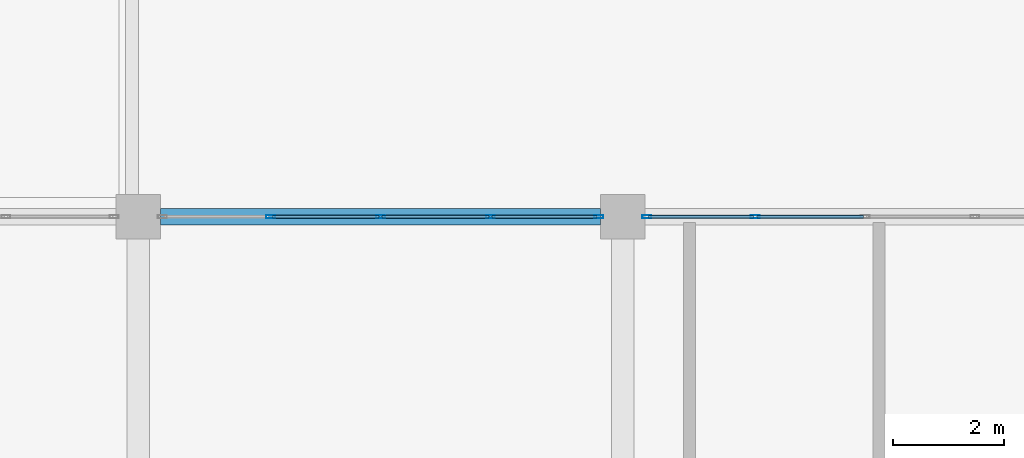
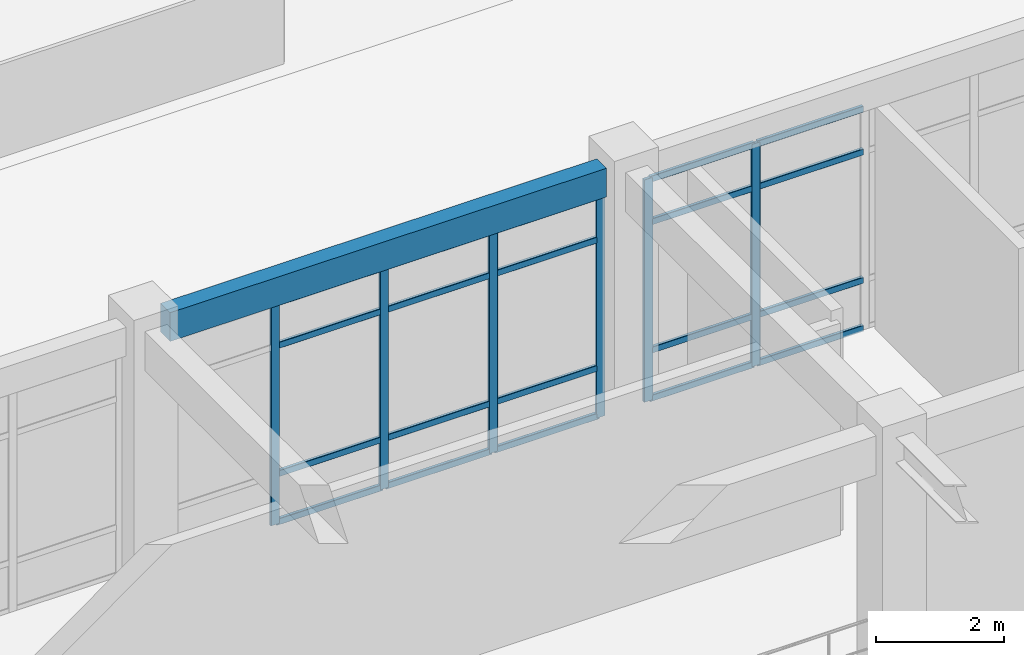
# One storey, part 53 of 124: 26 members, 1 beam, 2 elements without a shape of their own.
"""IFC4 building model written with IfcOpenShell, lengths in metres."""

from ifc_helpers import new_model, si_unit, derived_unit, direction, frame, origin, origin_2d, place, context, subcontext, project, spatial, rectangle, hollow_rectangle, extrude, material, layer, layer_set, material_profile, profile_set, type_object, element, aggregate, save


model = new_model("IFC4")

# Units and contexts
model_context = context("Model", 3, precision=1e-05, world=origin(), true_north=direction((0.0, 1.0)))
body_context = subcontext(model_context, "Body", "Model", "MODEL_VIEW")
ifc_project = project(units=[si_unit("LENGTHUNIT", "METRE"), si_unit("AREAUNIT", "SQUARE_METRE"), si_unit("VOLUMEUNIT", "CUBIC_METRE"), si_unit("PLANEANGLEUNIT", "RADIAN"), si_unit("MASSUNIT", "GRAM", prefix="KILO"), derived_unit("THERMALTRANSMITTANCEUNIT", [(si_unit("MASSUNIT", "GRAM", prefix="KILO"), 1), (si_unit("TIMEUNIT", "SECOND"), -3), (si_unit("THERMODYNAMICTEMPERATUREUNIT", "KELVIN"), -1)])], contexts=[model_context])

# Site, building, storey
site_placement = place(None, origin())
site = spatial("IfcSite", under=ifc_project, at=site_placement, CompositionType="ELEMENT")
building_placement = place(site_placement, origin())
building = spatial("IfcBuilding", under=site, at=building_placement, Name="Qinzheling Arcade Emporium", CompositionType="ELEMENT")
storey_placement = place(building_placement, frame((0.0, 0.0, 16.5)))
storey = spatial("IfcBuildingStorey", under=building, at=storey_placement, Name="L04", CompositionType="ELEMENT", Elevation=16.5)

# Curtain wall, members
ifc_material_1 = material(Name="Anodised aluminium and solar-control double glazing", Category="aluminium")
ifc_layer = layer(ifc_material_1, 0.159912109375, Name="Anodised aluminium and solar-control double glazing", Category="aluminium")
ifc_layer_set = layer_set([ifc_layer], Name="Anodised aluminium and solar-control double glazing")
curtain_wall_type = type_object("IfcCurtainWallType", Name="Atrium Clerestory Curtain Wall", PredefinedType="NOTDEFINED", material=ifc_layer_set)
curtain_wall_1_placement = place(storey_placement, origin())
curtain_wall_1 = element("IfcCurtainWall", 1, at=curtain_wall_1_placement, inside=storey, type_object=curtain_wall_type, Name="Curtain Wall CW-L04-247", PredefinedType="NOTDEFINED")
ifc_material_2 = material(Name="Anodised aluminium 6063-T6", Category="aluminium")
ifc_material_profile_1 = material_profile(ifc_material_2, hollow_rectangle(XDim=0.06005859375, YDim=0.159912109375, WallThickness=0.00390625, InnerFilletRadius=0.00390625, OuterFilletRadius=0.008056640625, at=origin_2d()), Name="RHS 160x60x4", Category="aluminium")
ifc_profile_set_1 = profile_set([ifc_material_profile_1], Name="Anodised aluminium 6063-T6")
member_type_1 = type_object("IfcMemberType", Name="Curtain Wall Mullion RHS160x60", PredefinedType="MULLION", material=ifc_profile_set_1)
member_1_placement = place(storey_placement, frame((80.676025390625, 73.800048828125, 0.0), z_axis=(0.0, 0.0, 1.0), x_axis=(0.0, 1.0, 0.0)))
member_1 = element("IfcMember", 2, at=member_1_placement, type_object=member_type_1, Name="CW03 mullion 2", PredefinedType="MULLION", context=body_context, shape_type="SweptSolid", body=[
    extrude(hollow_rectangle(XDim=0.06005859375, YDim=0.159912109375, WallThickness=0.00390625, InnerFilletRadius=0.00390625, OuterFilletRadius=0.008056640625, at=origin_2d()), origin(), (0.0, 0.0, 1.0), 4.2548828125),
])
member_2_placement = place(storey_placement, frame((82.64990234375, 73.800048828125, 0.0), z_axis=(0.0, 0.0, 1.0), x_axis=(0.0, 1.0, 0.0)))
member_2 = element("IfcMember", 3, at=member_2_placement, type_object=member_type_1, Name="CW03 mullion 3", PredefinedType="MULLION", context=body_context, shape_type="SweptSolid", body=[
    extrude(hollow_rectangle(XDim=0.06005859375, YDim=0.159912109375, WallThickness=0.00390625, InnerFilletRadius=0.00390625, OuterFilletRadius=0.008056640625, at=origin_2d()), origin(), (0.0, 0.0, 1.0), 4.2548828125),
])
member_3_placement = place(storey_placement, frame((84.6240234375, 73.800048828125, 0.0), z_axis=(0.0, 0.0, 1.0), x_axis=(0.0, 1.0, 0.0)))
member_3 = element("IfcMember", 4, at=member_3_placement, type_object=member_type_1, Name="CW03 mullion 4", PredefinedType="MULLION", context=body_context, shape_type="SweptSolid", body=[
    extrude(hollow_rectangle(XDim=0.06005859375, YDim=0.159912109375, WallThickness=0.00390625, InnerFilletRadius=0.00390625, OuterFilletRadius=0.008056640625, at=origin_2d()), origin(), (0.0, 0.0, 1.0), 4.2548828125),
])
member_4_placement = place(storey_placement, frame((86.568115234375, 73.800048828125, 0.0), z_axis=(0.0, 0.0, 1.0), x_axis=(0.0, 1.0, 0.0)))
member_4 = element("IfcMember", 5, at=member_4_placement, type_object=member_type_1, Name="CW03 mullion 5", PredefinedType="MULLION", context=body_context, shape_type="SweptSolid", body=[
    extrude(hollow_rectangle(XDim=0.06005859375, YDim=0.159912109375, WallThickness=0.00390625, InnerFilletRadius=0.00390625, OuterFilletRadius=0.008056640625, at=origin_2d()), origin(), (0.0, 0.0, 1.0), 4.2548828125),
])

curtain_wall_2_placement = place(storey_placement, origin())
curtain_wall_2 = element("IfcCurtainWall", 6, at=curtain_wall_2_placement, inside=storey, type_object=curtain_wall_type, Name="Curtain Wall CW-L04-248", PredefinedType="NOTDEFINED")
member_5_placement = place(storey_placement, frame((87.431884765625, 73.800048828125, 0.0), z_axis=(0.0, 0.0, 1.0), x_axis=(0.0, 1.0, 0.0)))
member_5 = element("IfcMember", 7, at=member_5_placement, type_object=member_type_1, Name="CW03 mullion 1", PredefinedType="MULLION", context=body_context, shape_type="SweptSolid", body=[
    extrude(hollow_rectangle(XDim=0.06005859375, YDim=0.159912109375, WallThickness=0.00390625, InnerFilletRadius=0.00390625, OuterFilletRadius=0.008056640625, at=origin_2d()), origin(), (0.0, 0.0, 1.0), 4.2548828125),
])
member_6_placement = place(storey_placement, frame((89.3759765625, 73.800048828125, 0.0), z_axis=(0.0, 0.0, 1.0), x_axis=(0.0, 1.0, 0.0)))
member_6 = element("IfcMember", 8, at=member_6_placement, type_object=member_type_1, Name="CW03 mullion 2", PredefinedType="MULLION", context=body_context, shape_type="SweptSolid", body=[
    extrude(hollow_rectangle(XDim=0.06005859375, YDim=0.159912109375, WallThickness=0.00390625, InnerFilletRadius=0.00390625, OuterFilletRadius=0.008056640625, at=origin_2d()), origin(), (0.0, 0.0, 1.0), 4.2548828125),
])

# Member
ifc_material_profile_2 = material_profile(ifc_material_2, hollow_rectangle(XDim=0.06005859375, YDim=0.1201171875, WallThickness=0.00390625, InnerFilletRadius=0.00390625, OuterFilletRadius=0.008056640625, at=origin_2d()), Name="RHS 120x60x4", Category="aluminium")
ifc_profile_set_2 = profile_set([ifc_material_profile_2], Name="Anodised aluminium 6063-T6")
member_type_2 = type_object("IfcMemberType", Name="Curtain Wall Transom RHS120x60", PredefinedType="USERDEFINED", material=ifc_profile_set_2)
member_7_placement = place(storey_placement, frame((80.7060546875, 73.800048828125, 0.030029296875), z_axis=(1.0, 0.0, 0.0), x_axis=(0.0, 1.0, 0.0)))
member_7 = element("IfcMember", 9, at=member_7_placement, type_object=member_type_2, Name="CW03 transom 2.1", ObjectType="TRANSOM", PredefinedType="USERDEFINED", context=body_context, shape_type="SweptSolid", body=[
    extrude(hollow_rectangle(XDim=0.06005859375, YDim=0.1201171875, WallThickness=0.00390625, InnerFilletRadius=0.00390625, OuterFilletRadius=0.008056640625, at=origin_2d()), origin(), (0.0, 0.0, 1.0), 1.9140625),
])

member_8_placement = place(storey_placement, frame((80.7060546875, 73.800048828125, 0.949951171875), z_axis=(1.0, 0.0, 0.0), x_axis=(0.0, 1.0, 0.0)))
member_8 = element("IfcMember", 10, at=member_8_placement, type_object=member_type_2, Name="CW03 transom 2.2", ObjectType="TRANSOM", PredefinedType="USERDEFINED", context=body_context, shape_type="SweptSolid", body=[
    extrude(hollow_rectangle(XDim=0.06005859375, YDim=0.1201171875, WallThickness=0.00390625, InnerFilletRadius=0.00390625, OuterFilletRadius=0.008056640625, at=origin_2d()), origin(), (0.0, 0.0, 1.0), 1.9140625),
])

member_9_placement = place(storey_placement, frame((80.7060546875, 73.800048828125, 3.405029296875), z_axis=(1.0, 0.0, 0.0), x_axis=(0.0, 1.0, 0.0)))
member_9 = element("IfcMember", 11, at=member_9_placement, type_object=member_type_2, Name="CW03 transom 2.3", ObjectType="TRANSOM", PredefinedType="USERDEFINED", context=body_context, shape_type="SweptSolid", body=[
    extrude(hollow_rectangle(XDim=0.06005859375, YDim=0.1201171875, WallThickness=0.00390625, InnerFilletRadius=0.00390625, OuterFilletRadius=0.008056640625, at=origin_2d()), origin(), (0.0, 0.0, 1.0), 1.9140625),
])

member_10_placement = place(storey_placement, frame((80.7060546875, 73.800048828125, 4.22509765625), z_axis=(1.0, 0.0, 0.0), x_axis=(0.0, 1.0, 0.0)))
member_10 = element("IfcMember", 12, at=member_10_placement, type_object=member_type_2, Name="CW03 transom 2.4", ObjectType="TRANSOM", PredefinedType="USERDEFINED", context=body_context, shape_type="SweptSolid", body=[
    extrude(hollow_rectangle(XDim=0.06005859375, YDim=0.1201171875, WallThickness=0.00390625, InnerFilletRadius=0.00390625, OuterFilletRadius=0.008056640625, at=origin_2d()), origin(), (0.0, 0.0, 1.0), 1.9140625),
])

member_11_placement = place(storey_placement, frame((82.679931640625, 73.800048828125, 0.030029296875), z_axis=(1.0, 0.0, 0.0), x_axis=(0.0, 1.0, 0.0)))
member_11 = element("IfcMember", 13, at=member_11_placement, type_object=member_type_2, Name="CW03 transom 3.1", ObjectType="TRANSOM", PredefinedType="USERDEFINED", context=body_context, shape_type="SweptSolid", body=[
    extrude(hollow_rectangle(XDim=0.06005859375, YDim=0.1201171875, WallThickness=0.00390625, InnerFilletRadius=0.00390625, OuterFilletRadius=0.008056640625, at=origin_2d()), origin(), (0.0, 0.0, 1.0), 1.9140625),
])

member_12_placement = place(storey_placement, frame((82.679931640625, 73.800048828125, 0.949951171875), z_axis=(1.0, 0.0, 0.0), x_axis=(0.0, 1.0, 0.0)))
member_12 = element("IfcMember", 14, at=member_12_placement, type_object=member_type_2, Name="CW03 transom 3.2", ObjectType="TRANSOM", PredefinedType="USERDEFINED", context=body_context, shape_type="SweptSolid", body=[
    extrude(hollow_rectangle(XDim=0.06005859375, YDim=0.1201171875, WallThickness=0.00390625, InnerFilletRadius=0.00390625, OuterFilletRadius=0.008056640625, at=origin_2d()), origin(), (0.0, 0.0, 1.0), 1.9140625),
])

member_13_placement = place(storey_placement, frame((82.679931640625, 73.800048828125, 3.405029296875), z_axis=(1.0, 0.0, 0.0), x_axis=(0.0, 1.0, 0.0)))
member_13 = element("IfcMember", 15, at=member_13_placement, type_object=member_type_2, Name="CW03 transom 3.3", ObjectType="TRANSOM", PredefinedType="USERDEFINED", context=body_context, shape_type="SweptSolid", body=[
    extrude(hollow_rectangle(XDim=0.06005859375, YDim=0.1201171875, WallThickness=0.00390625, InnerFilletRadius=0.00390625, OuterFilletRadius=0.008056640625, at=origin_2d()), origin(), (0.0, 0.0, 1.0), 1.9140625),
])

member_14_placement = place(storey_placement, frame((82.679931640625, 73.800048828125, 4.22509765625), z_axis=(1.0, 0.0, 0.0), x_axis=(0.0, 1.0, 0.0)))
member_14 = element("IfcMember", 16, at=member_14_placement, type_object=member_type_2, Name="CW03 transom 3.4", ObjectType="TRANSOM", PredefinedType="USERDEFINED", context=body_context, shape_type="SweptSolid", body=[
    extrude(hollow_rectangle(XDim=0.06005859375, YDim=0.1201171875, WallThickness=0.00390625, InnerFilletRadius=0.00390625, OuterFilletRadius=0.008056640625, at=origin_2d()), origin(), (0.0, 0.0, 1.0), 1.9140625),
])

member_15_placement = place(storey_placement, frame((84.654052734375, 73.800048828125, 0.030029296875), z_axis=(1.0, 0.0, 0.0), x_axis=(0.0, 1.0, 0.0)))
member_15 = element("IfcMember", 17, at=member_15_placement, type_object=member_type_2, Name="CW03 transom 4.1", ObjectType="TRANSOM", PredefinedType="USERDEFINED", context=body_context, shape_type="SweptSolid", body=[
    extrude(hollow_rectangle(XDim=0.06005859375, YDim=0.1201171875, WallThickness=0.00390625, InnerFilletRadius=0.00390625, OuterFilletRadius=0.008056640625, at=origin_2d()), origin(), (0.0, 0.0, 1.0), 1.884033203125),
])

member_16_placement = place(storey_placement, frame((84.654052734375, 73.800048828125, 0.949951171875), z_axis=(1.0, 0.0, 0.0), x_axis=(0.0, 1.0, 0.0)))
member_16 = element("IfcMember", 18, at=member_16_placement, type_object=member_type_2, Name="CW03 transom 4.2", ObjectType="TRANSOM", PredefinedType="USERDEFINED", context=body_context, shape_type="SweptSolid", body=[
    extrude(hollow_rectangle(XDim=0.06005859375, YDim=0.1201171875, WallThickness=0.00390625, InnerFilletRadius=0.00390625, OuterFilletRadius=0.008056640625, at=origin_2d()), origin(), (0.0, 0.0, 1.0), 1.884033203125),
])

member_17_placement = place(storey_placement, frame((84.654052734375, 73.800048828125, 3.405029296875), z_axis=(1.0, 0.0, 0.0), x_axis=(0.0, 1.0, 0.0)))
member_17 = element("IfcMember", 19, at=member_17_placement, type_object=member_type_2, Name="CW03 transom 4.3", ObjectType="TRANSOM", PredefinedType="USERDEFINED", context=body_context, shape_type="SweptSolid", body=[
    extrude(hollow_rectangle(XDim=0.06005859375, YDim=0.1201171875, WallThickness=0.00390625, InnerFilletRadius=0.00390625, OuterFilletRadius=0.008056640625, at=origin_2d()), origin(), (0.0, 0.0, 1.0), 1.884033203125),
])

member_18_placement = place(storey_placement, frame((84.654052734375, 73.800048828125, 4.22509765625), z_axis=(1.0, 0.0, 0.0), x_axis=(0.0, 1.0, 0.0)))
member_18 = element("IfcMember", 20, at=member_18_placement, type_object=member_type_2, Name="CW03 transom 4.4", ObjectType="TRANSOM", PredefinedType="USERDEFINED", context=body_context, shape_type="SweptSolid", body=[
    extrude(hollow_rectangle(XDim=0.06005859375, YDim=0.1201171875, WallThickness=0.00390625, InnerFilletRadius=0.00390625, OuterFilletRadius=0.008056640625, at=origin_2d()), origin(), (0.0, 0.0, 1.0), 1.884033203125),
])

aggregate(curtain_wall_1, [member_1, member_2, member_3, member_4, member_7, member_8, member_9, member_10, member_11, member_12, member_13, member_14, member_15, member_16, member_17, member_18])

member_19_placement = place(storey_placement, frame((87.4619140625, 73.800048828125, 0.030029296875), z_axis=(1.0, 0.0, 0.0), x_axis=(0.0, 1.0, 0.0)))
member_19 = element("IfcMember", 21, at=member_19_placement, type_object=member_type_2, Name="CW03 transom 1.1", ObjectType="TRANSOM", PredefinedType="USERDEFINED", context=body_context, shape_type="SweptSolid", body=[
    extrude(hollow_rectangle(XDim=0.06005859375, YDim=0.1201171875, WallThickness=0.00390625, InnerFilletRadius=0.00390625, OuterFilletRadius=0.008056640625, at=origin_2d()), origin(), (0.0, 0.0, 1.0), 1.884033203125),
])

member_20_placement = place(storey_placement, frame((87.4619140625, 73.800048828125, 0.949951171875), z_axis=(1.0, 0.0, 0.0), x_axis=(0.0, 1.0, 0.0)))
member_20 = element("IfcMember", 22, at=member_20_placement, type_object=member_type_2, Name="CW03 transom 1.2", ObjectType="TRANSOM", PredefinedType="USERDEFINED", context=body_context, shape_type="SweptSolid", body=[
    extrude(hollow_rectangle(XDim=0.06005859375, YDim=0.1201171875, WallThickness=0.00390625, InnerFilletRadius=0.00390625, OuterFilletRadius=0.008056640625, at=origin_2d()), origin(), (0.0, 0.0, 1.0), 1.884033203125),
])

member_21_placement = place(storey_placement, frame((87.4619140625, 73.800048828125, 3.405029296875), z_axis=(1.0, 0.0, 0.0), x_axis=(0.0, 1.0, 0.0)))
member_21 = element("IfcMember", 23, at=member_21_placement, type_object=member_type_2, Name="CW03 transom 1.3", ObjectType="TRANSOM", PredefinedType="USERDEFINED", context=body_context, shape_type="SweptSolid", body=[
    extrude(hollow_rectangle(XDim=0.06005859375, YDim=0.1201171875, WallThickness=0.00390625, InnerFilletRadius=0.00390625, OuterFilletRadius=0.008056640625, at=origin_2d()), origin(), (0.0, 0.0, 1.0), 1.884033203125),
])

member_22_placement = place(storey_placement, frame((87.4619140625, 73.800048828125, 4.22509765625), z_axis=(1.0, 0.0, 0.0), x_axis=(0.0, 1.0, 0.0)))
member_22 = element("IfcMember", 24, at=member_22_placement, type_object=member_type_2, Name="CW03 transom 1.4", ObjectType="TRANSOM", PredefinedType="USERDEFINED", context=body_context, shape_type="SweptSolid", body=[
    extrude(hollow_rectangle(XDim=0.06005859375, YDim=0.1201171875, WallThickness=0.00390625, InnerFilletRadius=0.00390625, OuterFilletRadius=0.008056640625, at=origin_2d()), origin(), (0.0, 0.0, 1.0), 1.884033203125),
])

member_23_placement = place(storey_placement, frame((89.406005859375, 73.800048828125, 0.030029296875), z_axis=(1.0, 0.0, 0.0), x_axis=(0.0, 1.0, 0.0)))
member_23 = element("IfcMember", 25, at=member_23_placement, type_object=member_type_2, Name="CW03 transom 2.1", ObjectType="TRANSOM", PredefinedType="USERDEFINED", context=body_context, shape_type="SweptSolid", body=[
    extrude(hollow_rectangle(XDim=0.06005859375, YDim=0.1201171875, WallThickness=0.00390625, InnerFilletRadius=0.00390625, OuterFilletRadius=0.008056640625, at=origin_2d()), origin(), (0.0, 0.0, 1.0), 1.9140625),
])

member_24_placement = place(storey_placement, frame((89.406005859375, 73.800048828125, 0.949951171875), z_axis=(1.0, 0.0, 0.0), x_axis=(0.0, 1.0, 0.0)))
member_24 = element("IfcMember", 26, at=member_24_placement, type_object=member_type_2, Name="CW03 transom 2.2", ObjectType="TRANSOM", PredefinedType="USERDEFINED", context=body_context, shape_type="SweptSolid", body=[
    extrude(hollow_rectangle(XDim=0.06005859375, YDim=0.1201171875, WallThickness=0.00390625, InnerFilletRadius=0.00390625, OuterFilletRadius=0.008056640625, at=origin_2d()), origin(), (0.0, 0.0, 1.0), 1.9140625),
])

member_25_placement = place(storey_placement, frame((89.406005859375, 73.800048828125, 3.405029296875), z_axis=(1.0, 0.0, 0.0), x_axis=(0.0, 1.0, 0.0)))
member_25 = element("IfcMember", 27, at=member_25_placement, type_object=member_type_2, Name="CW03 transom 2.3", ObjectType="TRANSOM", PredefinedType="USERDEFINED", context=body_context, shape_type="SweptSolid", body=[
    extrude(hollow_rectangle(XDim=0.06005859375, YDim=0.1201171875, WallThickness=0.00390625, InnerFilletRadius=0.00390625, OuterFilletRadius=0.008056640625, at=origin_2d()), origin(), (0.0, 0.0, 1.0), 1.9140625),
])

member_26_placement = place(storey_placement, frame((89.406005859375, 73.800048828125, 4.22509765625), z_axis=(1.0, 0.0, 0.0), x_axis=(0.0, 1.0, 0.0)))
member_26 = element("IfcMember", 28, at=member_26_placement, type_object=member_type_2, Name="CW03 transom 2.4", ObjectType="TRANSOM", PredefinedType="USERDEFINED", context=body_context, shape_type="SweptSolid", body=[
    extrude(hollow_rectangle(XDim=0.06005859375, YDim=0.1201171875, WallThickness=0.00390625, InnerFilletRadius=0.00390625, OuterFilletRadius=0.008056640625, at=origin_2d()), origin(), (0.0, 0.0, 1.0), 1.9140625),
])

aggregate(curtain_wall_2, [member_5, member_6, member_19, member_20, member_21, member_22, member_23, member_24, member_25, member_26])

# Beam
ifc_material_3 = material(Name="Concrete C40", Category="concrete")
ifc_material_profile_3 = material_profile(ifc_material_3, rectangle(XDim=0.300048828125, YDim=0.550048828125, at=origin_2d()), Name="RC 300x550", Category="concrete")
ifc_profile_set_3 = profile_set([ifc_material_profile_3], Name="Concrete C40")
beam_type = type_object("IfcBeamType", Name="RC Terrace Spandrel Beam 300x550 C40", PredefinedType="SPANDREL", material=ifc_profile_set_3)
beam_placement = place(storey_placement, frame((78.699951171875, 73.800048828125, 4.544921875), z_axis=(1.0, 0.0, 0.0), x_axis=(0.0, 1.0, 0.0)))
element("IfcBeam", 29, at=beam_placement, inside=storey, type_object=beam_type, Name="Beam BM-L04-X-J-10", PredefinedType="SPANDREL", context=body_context, shape_type="SweptSolid", body=[
    extrude(rectangle(XDim=0.300048828125, YDim=0.550048828125, at=origin_2d()), origin(), (0.0, 0.0, 1.0), 7.900146484375),
])

save(model, "model.ifc")
